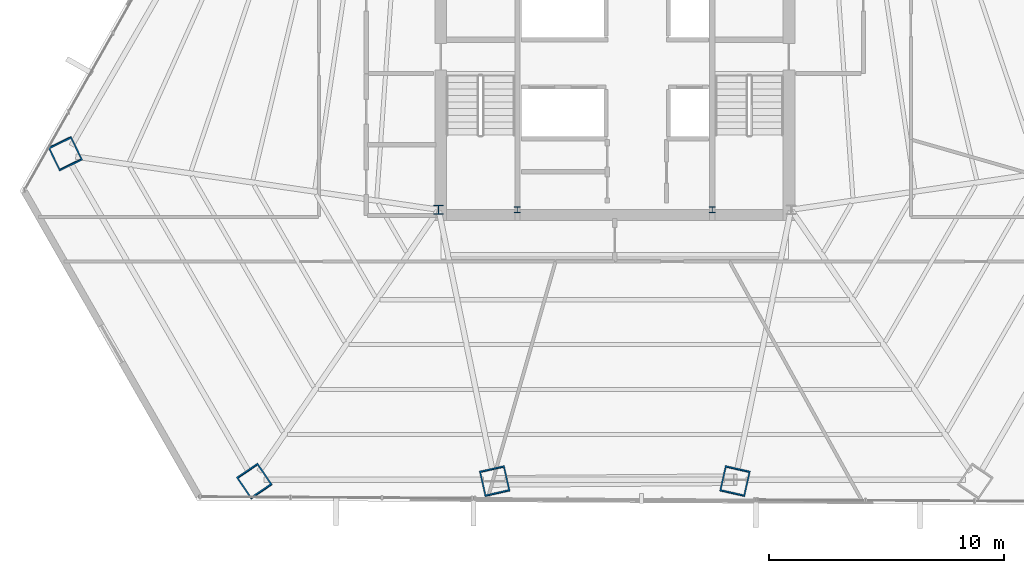
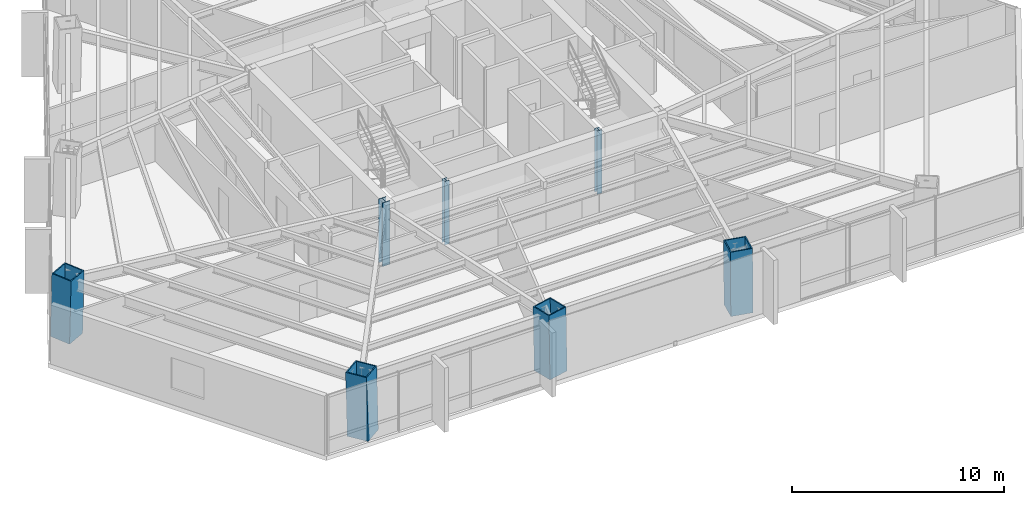
# One storey, part 1 of 36: 7 columns.
"""IFC4 building model written with IfcOpenShell, lengths in metres."""

import ifcopenshell
import ifcopenshell.guid

model = None  # the IFC model being written
_history = None  # IfcOwnerHistory: only IFC2X3 demands one
_inside = {}  # id of a spatial element -> (the spatial element, [elements in it])
_under = {}  # id of a project, library or spatial element -> (it, [spatial elements below it])
_declared = {}  # id of a project -> (the project, [libraries it declares])
_typed = {}  # id of a type object -> (the type object, [elements of that type])
_made_of = {}  # id of a material, layer set ... -> (it, [elements and type objects made of it])


def new_model(schema):
    """Start an empty IFC model of exactly this schema.

    Asked for "IFC4X3", IfcOpenShell would pick the latest addendum, in which some entities
    have other attributes; the version numbers below select the first issue.
    IFC2X3 requires an IfcOwnerHistory on every rooted entity: one is made here for all.
    """
    global model, _history
    if schema == "IFC4X3":
        model = ifcopenshell.file(schema_version=(4, 3, 0, 0))
    else:
        model = ifcopenshell.file(schema=schema)
    _inside.clear()
    _under.clear()
    _declared.clear()
    _typed.clear()
    _made_of.clear()
    _history = None
    if model.schema == "IFC2X3":
        org = make("IfcOrganization", Name="unknown")
        user = make(
            "IfcPersonAndOrganization",
            ThePerson=make("IfcPerson", FamilyName="unknown"),
            TheOrganization=org,
        )
        app = make(
            "IfcApplication",
            ApplicationDeveloper=org,
            Version="unknown",
            ApplicationFullName="unknown",
            ApplicationIdentifier="unknown",
        )
        _history = make(
            "IfcOwnerHistory",
            OwningUser=user,
            OwningApplication=app,
            ChangeAction="ADDED",
            CreationDate=0,
        )
    return model


def make(cls, **values):
    """One entity of the class cls with the attributes given. An attribute that is None is left unset."""
    return model.create_entity(
        cls, **{name: value for name, value in values.items() if value is not None}
    )


def rooted(cls, **values):
    """An entity with a GlobalId (a new one), such as an element, a storey or a relation."""
    return make(cls, GlobalId=ifcopenshell.guid.new(), OwnerHistory=_history, **values)


def si_unit(unit_type, name, prefix=None):
    """IfcSIUnit, for example si_unit("LENGTHUNIT", "METRE", prefix="MILLI")."""
    return make("IfcSIUnit", UnitType=unit_type, Prefix=prefix, Name=name)


def assignment(units):
    """IfcUnitAssignment: the units of a project."""
    return None if units is None else make("IfcUnitAssignment", Units=units)


def point(xyz):
    """IfcCartesianPoint."""
    return None if xyz is None else make("IfcCartesianPoint", Coordinates=xyz)


def direction(xyz):
    """IfcDirection."""
    return None if xyz is None else make("IfcDirection", DirectionRatios=xyz)


def frame(location, z_axis=None, x_axis=None):
    """IfcAxis2Placement3D, a coordinate frame: its origin and axes. An axis left out is left unset."""
    return make(
        "IfcAxis2Placement3D",
        Location=point(location),
        Axis=direction(z_axis),
        RefDirection=direction(x_axis),
    )


def frame_2d(location, x_axis=None):
    """IfcAxis2Placement2D, a coordinate frame in the plane: its origin and x axis."""
    return make(
        "IfcAxis2Placement2D", Location=point(location), RefDirection=direction(x_axis)
    )


def origin():
    """The frame at (0, 0, 0) with its axes left unset."""
    return frame((0.0, 0.0, 0.0))


def origin_2d():
    """The frame at (0, 0) in the plane with its x axis left unset."""
    return frame_2d((0.0, 0.0))


def place(relative_to, where):
    """IfcLocalPlacement: puts the frame where relative to a parent placement (None: the world)."""
    return make(
        "IfcLocalPlacement", PlacementRelTo=relative_to, RelativePlacement=where
    )


def context(
    kind, dimensions, precision=None, world=None, true_north=None, identifier=None
):
    """IfcGeometricRepresentationContext, for example the 3D "Model" context."""
    return make(
        "IfcGeometricRepresentationContext",
        ContextIdentifier=identifier,
        ContextType=kind,
        CoordinateSpaceDimension=dimensions,
        Precision=precision,
        WorldCoordinateSystem=world,
        TrueNorth=true_north,
    )


def subcontext(parent, identifier, kind, view, scale=None):
    """IfcGeometricRepresentationSubContext, for example "Body" below "Model"."""
    return make(
        "IfcGeometricRepresentationSubContext",
        ContextIdentifier=identifier,
        ContextType=kind,
        ParentContext=parent,
        TargetScale=scale,
        TargetView=view,
    )


def project(units=None, contexts=None):
    """IfcProject with its units and contexts."""
    return rooted(
        "IfcProject",
        Name="project",
        RepresentationContexts=contexts,
        UnitsInContext=assignment(units),
    )


def spatial(cls, under=None, at=None, **own):
    """A site, building, storey or space (cls), placed at a placement, below another one or the project."""
    s = rooted(cls, ObjectPlacement=at, **own)
    if under is not None:
        _under.setdefault(under.id(), (under, []))[1].append(s)
    return s


def profile(cls, at=None, kind="AREA", **sizes):
    """A parametric profile (cls). Its sizes go by their IFC names, for example OverallWidth=200.0."""
    return make(cls, ProfileType=kind, Position=at, **sizes)


def hollow_rectangle(**sizes):
    """IfcRectangleHollowProfileDef."""
    return profile("IfcRectangleHollowProfileDef", **sizes)


def i_section(**sizes):
    """IfcIShapeProfileDef."""
    return profile("IfcIShapeProfileDef", **sizes)


def extrude(swept, where, along, depth):
    """IfcExtrudedAreaSolid: the profile swept, set in the frame where, extruded along a direction by depth."""
    return make(
        "IfcExtrudedAreaSolid",
        SweptArea=swept,
        Position=where,
        ExtrudedDirection=direction(along),
        Depth=depth,
    )


def shape(context_of_items, identifier, shape_type, items):
    """IfcShapeRepresentation: the items that make up one representation, for example the "Body"."""
    return make(
        "IfcShapeRepresentation",
        ContextOfItems=context_of_items,
        RepresentationIdentifier=identifier,
        RepresentationType=shape_type,
        Items=items,
    )


def source(mapping_origin, context_of_items, identifier, shape_type, items):
    """IfcRepresentationMap: a shape defined once, which mapped items show again and again."""
    return make(
        "IfcRepresentationMap",
        MappingOrigin=mapping_origin,
        MappedRepresentation=shape(context_of_items, identifier, shape_type, items),
    )


def transform(
    local_origin,
    x_axis=None,
    y_axis=None,
    z_axis=None,
    scale=None,
    scale2=None,
    scale3=None,
    uniform=True,
):
    """IfcCartesianTransformationOperator3D, or its non-uniform kind. x_axis, y_axis, z_axis: its Axis1, 2, 3."""
    if uniform:
        return make(
            "IfcCartesianTransformationOperator3D",
            Axis1=direction(x_axis),
            Axis2=direction(y_axis),
            LocalOrigin=point(local_origin),
            Scale=scale,
            Axis3=direction(z_axis),
        )
    return make(
        "IfcCartesianTransformationOperator3DnonUniform",
        Axis1=direction(x_axis),
        Axis2=direction(y_axis),
        LocalOrigin=point(local_origin),
        Scale=scale,
        Axis3=direction(z_axis),
        Scale2=scale2,
        Scale3=scale3,
    )


def mapped(mapping_source, mapping_target):
    """IfcMappedItem: shows the shape of a source again, moved by a transform."""
    return make(
        "IfcMappedItem", MappingSource=mapping_source, MappingTarget=mapping_target
    )


def material(Name=None, Category=None):
    """IfcMaterial."""
    return make("IfcMaterial", Name=Name, Category=Category)


def material_profile(
    of_material, cross_section, Name=None, Category=None, Priority=None
):
    """IfcMaterialProfile: a cross section and its material."""
    return make(
        "IfcMaterialProfile",
        Name=Name,
        Material=of_material,
        Profile=cross_section,
        Priority=Priority,
        Category=Category,
    )


def profile_set(profiles, Name=None, composite=None):
    """IfcMaterialProfileSet."""
    return make(
        "IfcMaterialProfileSet",
        Name=Name,
        MaterialProfiles=profiles,
        CompositeProfile=composite,
    )


def made_of(thing, what):
    """Note that an element or type object is made of a material, layer set ...; save() writes the relation."""
    if what is not None:
        _made_of.setdefault(what.id(), (what, []))[1].append(thing)
    return thing


def type_object(cls, material=None, **own):
    """A type object (cls), such as IfcWallType, which elements share."""
    return made_of(rooted(cls, **own), material)


def type_shapes(of_type, sources):
    """Give a type object the sources (RepresentationMaps) that its elements show as mapped items."""
    of_type.RepresentationMaps = sources


def element(
    cls,
    number,
    at=None,
    inside=None,
    cuts=None,
    type_object=None,
    material=None,
    context=None,
    identifier="Body",
    shape_type=None,
    held_by="IfcProductDefinitionShape",
    body=None,
    shapes=None,
    **own,
):
    """One element of the class cls, such as IfcWall. Its Tag is "e" and its number.

    at: its placement. inside: the storey or other place that contains it. cuts: it is an
    opening in that element (IfcRelVoidsElement). A single representation is given by context,
    identifier, shape_type and body (its items); several are given by shapes. held_by: the class
    of the entity that holds the representations. save() writes the other relations.
    """
    e = rooted(cls, Tag="e%d" % number, ObjectPlacement=at, **own)
    if body is not None:
        shapes = [shape(context, identifier, shape_type, body)]
    if shapes is not None:
        e.Representation = make(held_by, Representations=shapes)
    if inside is not None:
        _inside.setdefault(inside.id(), (inside, []))[1].append(e)
    if cuts is not None:
        rooted(
            "IfcRelVoidsElement", RelatingBuildingElement=cuts, RelatedOpeningElement=e
        )
    if type_object is not None:
        _typed.setdefault(type_object.id(), (type_object, []))[1].append(e)
    return made_of(e, material)


def aggregate(whole, parts):
    """IfcRelAggregates: a whole, such as a stair, and the parts it consists of."""
    return rooted("IfcRelAggregates", RelatingObject=whole, RelatedObjects=parts)


def save(model, path):
    """Write the relations noted so far, then the file.

    IfcRelAggregates (storeys below a building ...), IfcRelContainedInSpatialStructure (elements
    in a storey), IfcRelDefinesByType, IfcRelAssociatesMaterial and IfcRelDeclares: one each for
    every whole, place, type object, material and project.
    """
    for whole, parts in _under.values():
        aggregate(whole, parts)
    for where, things in _inside.values():
        rooted(
            "IfcRelContainedInSpatialStructure",
            RelatedElements=things,
            RelatingStructure=where,
        )
    for kind, things in _typed.values():
        rooted("IfcRelDefinesByType", RelatedObjects=things, RelatingType=kind)
    for what, things in _made_of.values():
        rooted("IfcRelAssociatesMaterial", RelatedObjects=things, RelatingMaterial=what)
    for by, libraries in _declared.values():
        rooted("IfcRelDeclares", RelatingContext=by, RelatedDefinitions=libraries)
    model.write(path)


model = new_model("IFC4")

# Units and contexts
model_context = context("Model", 3, precision=1e-05, world=origin(), true_north=direction((0.0, 1.0)))
body_context = subcontext(model_context, "Body", "Model", "MODEL_VIEW")
ifc_project = project(units=[si_unit("LENGTHUNIT", "METRE"), si_unit("AREAUNIT", "SQUARE_METRE"), si_unit("VOLUMEUNIT", "CUBIC_METRE"), si_unit("PLANEANGLEUNIT", "RADIAN"), si_unit("MASSUNIT", "GRAM", prefix="KILO")], contexts=[model_context])

# Site, building, storey
site_placement = place(None, origin())
site = spatial("IfcSite", under=ifc_project, at=site_placement, CompositionType="ELEMENT")
building_placement = place(site_placement, origin())
building = spatial("IfcBuilding", under=site, at=building_placement, Name="Caelisora Broadcast Tower", CompositionType="ELEMENT")
storey_placement = place(building_placement, frame((0.0, 0.0, 79.85009765625)))
storey = spatial("IfcBuildingStorey", under=building, at=storey_placement, Name="L20", CompositionType="ELEMENT", Elevation=79.85009765625)

# Columns
ifc_material_1 = material(Name="Steel Grade 350 (AS/NZS 3679.1)", Category="steel")
ifc_material_profile_1 = material_profile(ifc_material_1, i_section(OverallWidth=0.256103515625, OverallDepth=0.260009765625, WebThickness=0.010498046875, FlangeThickness=0.017333984375, at=origin_2d()), Name="Steel Grade 350 (AS/NZS 3679.1)")
ifc_profile_set_1 = profile_set([ifc_material_profile_1], Name="Steel Grade 350 (AS/NZS 3679.1)")
column_type_1 = type_object("IfcColumnType", Name="CC05", PredefinedType="COLUMN", material=ifc_profile_set_1)
shared_shape_1 = source(origin(), body_context, "Body", "SweptSolid", [
    extrude(i_section(OverallWidth=0.256103515625, OverallDepth=0.260009765625, WebThickness=0.010498046875, FlangeThickness=0.017333984375, at=origin_2d()), origin(), (0.0, 0.0, 1.0), 3.64990234375),
])
type_shapes(column_type_1, [shared_shape_1])
for number, where, z_axis, x_axis, name in (
    (1, (33.85009765625, 17.39990234375, 0.0), (0.0, 0.0, 1.0), (1.0, 0.0, 0.0), "L20 column CC05"),
    (2, (42.14990234375, 17.39990234375, 0.0), (0.0, 0.0, 1.0), (1.0, 0.0, 0.0), "L20 column CC05"),
):
    element("IfcColumn", number, at=place(storey_placement, frame(where, z_axis=z_axis, x_axis=x_axis)), inside=storey, type_object=column_type_1, Name=name, PredefinedType="COLUMN", context=body_context, shape_type="MappedRepresentation", body=[
        mapped(shared_shape_1, transform((0.0, 0.0, 0.0), scale=1.0)),
    ])
ifc_material_2 = material(Name="Steel Grade 350 (AS/NZS 3679.2)", Category="steel")
ifc_material_profile_2 = material_profile(ifc_material_2, i_section(OverallWidth=0.39990234375, OverallDepth=0.39990234375, WebThickness=0.02001953125, FlangeThickness=0.031982421875, at=origin_2d()), Name="Steel Grade 350 (AS/NZS 3679.2)")
ifc_profile_set_2 = profile_set([ifc_material_profile_2], Name="Steel Grade 350 (AS/NZS 3679.2)")
column_type_2 = type_object("IfcColumnType", Name="CC02", PredefinedType="COLUMN", material=ifc_profile_set_2)
shared_shape_2 = source(origin(), body_context, "Body", "SweptSolid", [
    extrude(i_section(OverallWidth=0.39990234375, OverallDepth=0.39990234375, WebThickness=0.02001953125, FlangeThickness=0.031982421875, at=origin_2d()), origin(), (0.0, 0.0, 1.0), 3.64990234375),
])
type_shapes(column_type_2, [shared_shape_2])
column_placement = place(storey_placement, frame((30.5, 17.39990234375, 0.0), z_axis=(0.0, 0.0, 1.0), x_axis=(1.0, 0.0, 0.0)))
element("IfcColumn", 3, at=column_placement, inside=storey, type_object=column_type_2, Name="L20 column CC02", PredefinedType="COLUMN", context=body_context, shape_type="MappedRepresentation", body=[
    mapped(shared_shape_2, transform((0.0, 0.0, 0.0), scale=1.0)),
])
ifc_material_3 = material(Name="Steel Grade 350 L15 (AS/NZS 3678)", Category="steel")
ifc_material_profile_3 = material_profile(ifc_material_3, hollow_rectangle(XDim=1.10009765625, YDim=1.10009765625, WallThickness=0.06005859375, at=origin_2d()), Name="Steel Grade 350 L15 (AS/NZS 3678)")
ifc_profile_set_3 = profile_set([ifc_material_profile_3], Name="Steel Grade 350 L15 (AS/NZS 3678)")
column_type_3 = type_object("IfcColumnType", Name="MC03", PredefinedType="COLUMN", material=ifc_profile_set_3)
shared_shape_3 = source(origin(), body_context, "Body", "SweptSolid", [
    extrude(hollow_rectangle(XDim=1.10009765625, YDim=1.10009765625, WallThickness=0.06005859375, at=origin_2d()), origin(), (0.0, 0.0, 1.0), 3.65087890625),
])
for number, where, z_axis, x_axis, name in (
    (4, (14.6005859375, 19.801025390625, 0.0), (0.010431795422, -0.021532295679, 0.999713727968), (0.899947055326, 0.435999194506, 0.0), "L20 column MC03"),
    (5, (22.663818359375, 5.8349609375, 0.0), (-0.013440967269, 0.019793663242, 0.999713734673), (-0.827290216258, -0.561774775229, 0.0), "L20 column MC03"),
):
    element("IfcColumn", number, at=place(storey_placement, frame(where, z_axis=z_axis, x_axis=x_axis)), inside=storey, type_object=column_type_3, Name=name, PredefinedType="COLUMN", context=body_context, shape_type="MappedRepresentation", body=[
        mapped(shared_shape_3, transform((0.0, 0.0, 0.0), scale=1.0)),
    ])
shared_shape_4 = source(origin(), body_context, "Body", "SweptSolid", [
    extrude(hollow_rectangle(XDim=1.10009765625, YDim=1.10009765625, WallThickness=0.06005859375, at=origin_2d()), origin(), (0.0, 0.0, 1.0), 3.650634765625),
])
type_shapes(column_type_3, [shared_shape_3, shared_shape_4])
for number, where, z_axis, x_axis, name in (
    (6, (32.887939453125, 5.8349609375, 0.0), (-0.004480682206, 0.019795252729, 0.999794014513), (-0.975326687046, -0.220766513622, 0.0), "L20 column MC03"),
    (7, (43.112060546875, 5.8349609375, 0.0), (0.004480682206, 0.019795252729, 0.999794014513), (-0.975326687046, 0.220766513622, 0.0), "L20 column MC03"),
):
    element("IfcColumn", number, at=place(storey_placement, frame(where, z_axis=z_axis, x_axis=x_axis)), inside=storey, type_object=column_type_3, Name=name, PredefinedType="COLUMN", context=body_context, shape_type="MappedRepresentation", body=[
        mapped(shared_shape_4, transform((0.0, 0.0, 0.0), scale=1.0)),
    ])

save(model, "model.ifc")
